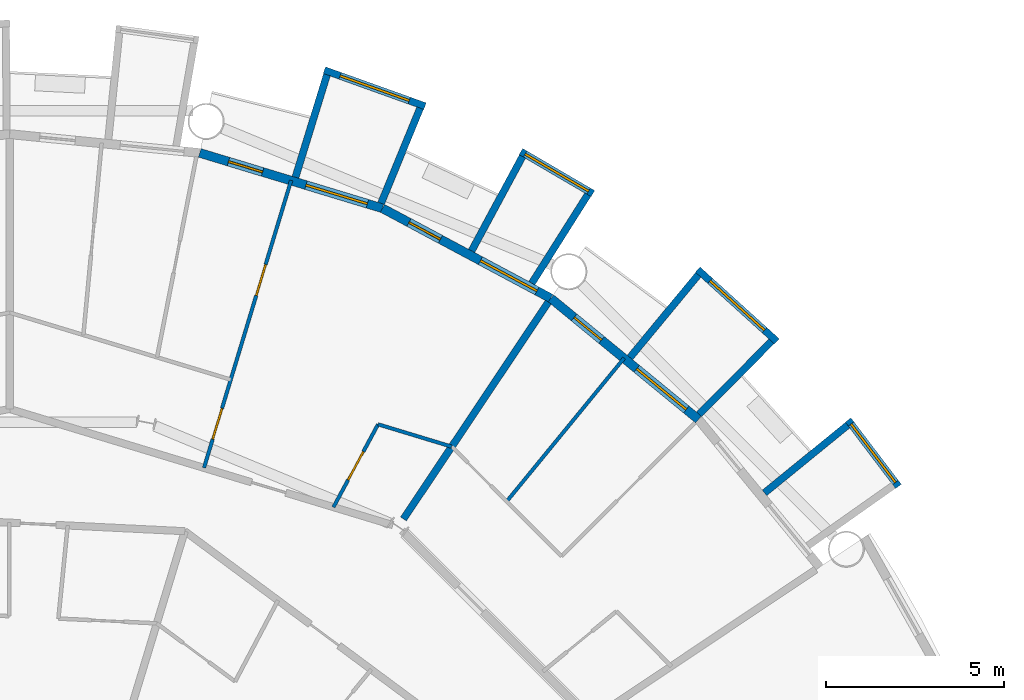
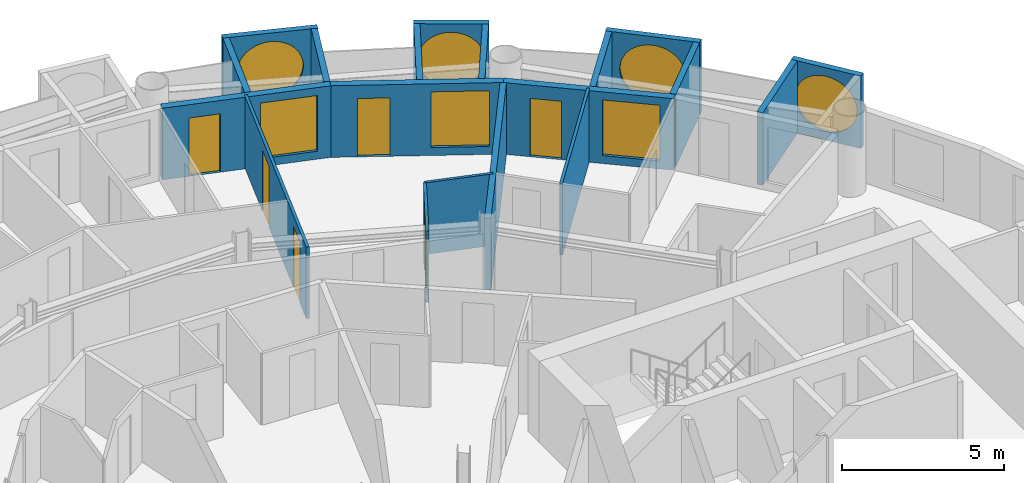
# One storey, part 22 of 26: 19 walls, 7 windows, 6 doors, 13 openings.
"""IFC4 building model written with IfcOpenShell, lengths in metres."""

from ifc_helpers import new_model, si_unit, direction, frame, frame_2d, origin, place, context, subcontext, project, spatial, rectangle, circle, extrude, material, layer, layer_set, type_object, element, fill, save


model = new_model("IFC4")

# Units and contexts
model_context = context("Model", 3, precision=1e-05, world=origin(), true_north=direction((0.0, 1.0)))
body_context = subcontext(model_context, "Body", "Model", "MODEL_VIEW")
ifc_project = project(units=[si_unit("LENGTHUNIT", "METRE"), si_unit("AREAUNIT", "SQUARE_METRE"), si_unit("VOLUMEUNIT", "CUBIC_METRE"), si_unit("PLANEANGLEUNIT", "RADIAN"), si_unit("MASSUNIT", "GRAM", prefix="KILO")], contexts=[model_context])

# Site, building, storey
site_placement = place(None, origin())
site = spatial("IfcSite", under=ifc_project, at=site_placement, CompositionType="ELEMENT")
building_placement = place(site_placement, origin())
building = spatial("IfcBuilding", under=site, at=building_placement, Name="Maasbend Ring Residences", CompositionType="ELEMENT")
storey_placement = place(building_placement, frame((0.0, 0.0, 91.050048828125)))
storey = spatial("IfcBuildingStorey", under=building, at=storey_placement, Name="L26", CompositionType="ELEMENT", Elevation=91.050048828125)

# Wall, opening, window
ifc_material_1 = material(Name="Pale anodised aluminium panel", Category="aluminium")
ifc_layer_1 = layer(ifc_material_1, 0.199951171875)
ifc_layer_set_1 = layer_set([ifc_layer_1], Name="EW-BOX")
wall_type_1 = type_object("IfcWallType", Name="EW-BOX", PredefinedType="SOLIDWALL", material=ifc_layer_set_1)
wall_1_placement = place(storey_placement, frame((24.908935546875, 17.427001953125, -0.030029296875), z_axis=(0.0, 0.0, 1.0), x_axis=(-0.60418752353, 0.796842165306, 0.0)))
wall_1 = element("IfcWall", 1, at=wall_1_placement, inside=storey, type_object=wall_type_1, Name="Box front N01", PredefinedType="SOLIDWALL", context=body_context, shape_type="SweptSolid", body=[
    extrude(rectangle(XDim=2.3369140625, YDim=0.199951171875, at=frame_2d((1.16845703125, 0.0))), origin(), (0.0, 0.0, 1.0), 2.72998046875),
])
opening_1_placement = place(wall_1_placement, frame((0.128173828125, 0.0, 0.330078125)))
opening_1 = element("IfcOpeningElement", 2, at=opening_1_placement, cuts=wall_1, Name="Opening W-RD", PredefinedType="OPENING", context=body_context, shape_type="SweptSolid", body=[
    extrude(circle(Radius=1.0400390625, at=frame_2d((1.0400390625, 1.0400390625))), frame((0.0, 0.10986328125, 0.0), z_axis=(0.0, -1.0, 0.0), x_axis=(1.0, 0.0, 0.0)), (0.0, 0.0, 1.0), 0.219970703125),
])
ifc_material_2 = material(Name="Aluminium and clear glass", Category="aluminium")
window_type_1 = type_object("IfcWindowType", Name="W-RD", PartitioningType="SINGLE_PANEL", PredefinedType="WINDOW", material=ifc_material_2)
window_1_placement = place(opening_1_placement, origin())
window_1 = element("IfcWindow", 3, at=window_1_placement, inside=storey, type_object=window_type_1, Name="Round window N01", OverallHeight=2.080078125, OverallWidth=2.080078125, PartitioningType="SINGLE_PANEL", PredefinedType="WINDOW", context=body_context, shape_type="SweptSolid", body=[
    extrude(circle(Radius=1.0400390625, at=frame_2d((1.0400390625, 1.0400390625))), frame((0.0, 0.030029296875, 0.0), z_axis=(0.0, -1.0, 0.0), x_axis=(1.0, 0.0, 0.0)), (0.0, 0.0, 1.0), 0.06005859375),
])
fill(opening_1, window_1)

# Wall
wall_2_placement = place(storey_placement, frame((21.155029296875, 17.24609375, -0.030029296875), z_axis=(0.0, 0.0, 1.0), x_axis=(0.775179004516, 0.631741648902, 0.0)))
element("IfcWall", 4, at=wall_2_placement, inside=storey, type_object=wall_type_1, Name="Box side wall N01 right", PredefinedType="SOLIDWALL", context=body_context, shape_type="SweptSolid", body=[
    extrude(rectangle(XDim=3.005859375, YDim=0.199951171875, at=frame_2d((1.5029296875, 0.0))), origin(), (0.0, 0.0, 1.0), 2.72998046875),
])

# Wall, opening, window
wall_3_placement = place(storey_placement, frame((21.5, 21.492919921875, -0.030029296875), z_axis=(0.0, 0.0, 1.0), x_axis=(-0.740998365753, 0.671506829416, 0.0)))
wall_3 = element("IfcWall", 5, at=wall_3_placement, inside=storey, type_object=wall_type_1, Name="Box front N03", PredefinedType="SOLIDWALL", context=body_context, shape_type="SweptSolid", body=[
    extrude(rectangle(XDim=2.9931640625, YDim=0.199951171875, at=frame_2d((1.49658203125, 0.0))), origin(), (0.0, 0.0, 1.0), 2.72998046875),
])
opening_2_placement = place(wall_3_placement, frame((0.45654296875, 0.0, 0.330078125)))
opening_2 = element("IfcOpeningElement", 6, at=opening_2_placement, cuts=wall_3, Name="Opening W-RD", PredefinedType="OPENING", context=body_context, shape_type="SweptSolid", body=[
    extrude(circle(Radius=1.0400390625, at=frame_2d((1.0400390625, 1.0400390625))), frame((0.0, 0.10986328125, 0.0), z_axis=(0.0, -1.0, 0.0), x_axis=(1.0, 0.0, 0.0)), (0.0, 0.0, 1.0), 0.219970703125),
])
window_2_placement = place(opening_2_placement, origin())
window_2 = element("IfcWindow", 7, at=window_2_placement, inside=storey, type_object=window_type_1, Name="Round window N03", OverallHeight=2.080078125, OverallWidth=2.080078125, PartitioningType="SINGLE_PANEL", PredefinedType="WINDOW", context=body_context, shape_type="SweptSolid", body=[
    extrude(circle(Radius=1.0400390625, at=frame_2d((1.0400390625, 1.0400390625))), frame((0.0, 0.030029296875, 0.0), z_axis=(0.0, -1.0, 0.0), x_axis=(1.0, 0.0, 0.0)), (0.0, 0.0, 1.0), 0.06005859375),
])
fill(opening_2, window_2)

# Walls
wall_4_placement = place(storey_placement, frame((19.322998046875, 19.449951171875, -0.030029296875), z_axis=(0.0, 0.0, 1.0), x_axis=(0.704476739375, 0.709727076896, 0.0)))
element("IfcWall", 8, at=wall_4_placement, inside=storey, type_object=wall_type_1, Name="Box side wall N03 left", PredefinedType="SOLIDWALL", context=body_context, shape_type="SweptSolid", body=[
    extrude(rectangle(XDim=2.883056640625, YDim=0.199951171875, at=frame_2d((1.44140625, 0.0))), origin(), (0.0, 0.0, 1.0), 2.72998046875),
])
wall_5_placement = place(storey_placement, frame((17.384033203125, 21.041015625, -0.030029296875), z_axis=(0.0, 0.0, 1.0), x_axis=(0.63709551667, 0.770784861449, 0.0)))
element("IfcWall", 9, at=wall_5_placement, inside=storey, type_object=wall_type_1, Name="Box side wall N03 right", PredefinedType="SOLIDWALL", context=body_context, shape_type="SweptSolid", body=[
    extrude(rectangle(XDim=3.005859375, YDim=0.199951171875, at=frame_2d((1.5029296875, 0.0))), origin(), (0.0, 0.0, 1.0), 2.72998046875),
])

# Wall, opening, window
wall_6_placement = place(storey_placement, frame((16.343994140625, 25.633056640625, -0.030029296875), z_axis=(0.0, 0.0, 1.0), x_axis=(-0.863346521872, 0.504611517081, 0.0)))
wall_6 = element("IfcWall", 10, at=wall_6_placement, inside=storey, type_object=wall_type_1, Name="Box front N05", PredefinedType="SOLIDWALL", context=body_context, shape_type="SweptSolid", body=[
    extrude(rectangle(XDim=2.33642578125, YDim=0.199951171875, at=frame_2d((1.168212890625, 0.0))), origin(), (0.0, 0.0, 1.0), 2.72998046875),
])
opening_3_placement = place(wall_6_placement, frame((0.128173828125, 0.0, 0.330078125)))
opening_3 = element("IfcOpeningElement", 11, at=opening_3_placement, cuts=wall_6, Name="Opening W-RD", PredefinedType="OPENING", context=body_context, shape_type="SweptSolid", body=[
    extrude(circle(Radius=1.0400390625, at=frame_2d((1.0400390625, 1.0400390625))), frame((0.0, 0.10986328125, 0.0), z_axis=(0.0, -1.0, 0.0), x_axis=(1.0, 0.0, 0.0)), (0.0, 0.0, 1.0), 0.219970703125),
])
window_3_placement = place(opening_3_placement, origin())
window_3 = element("IfcWindow", 12, at=window_3_placement, inside=storey, type_object=window_type_1, Name="Round window N05", OverallHeight=2.080078125, OverallWidth=2.080078125, PartitioningType="SINGLE_PANEL", PredefinedType="WINDOW", context=body_context, shape_type="SweptSolid", body=[
    extrude(circle(Radius=1.0400390625, at=frame_2d((1.0400390625, 1.0400390625))), frame((0.0, 0.030029296875, 0.0), z_axis=(0.0, -1.0, 0.0), x_axis=(1.0, 0.0, 0.0)), (0.0, 0.0, 1.0), 0.06005859375),
])
fill(opening_3, window_3)

# Walls
wall_7_placement = place(storey_placement, frame((14.635009765625, 23.1259765625, -0.030029296875), z_axis=(0.0, 0.0, 1.0), x_axis=(0.534437802731, 0.845207805816, 0.0)))
element("IfcWall", 13, at=wall_7_placement, inside=storey, type_object=wall_type_1, Name="Box side wall N05 left", PredefinedType="SOLIDWALL", context=body_context, shape_type="SweptSolid", body=[
    extrude(rectangle(XDim=2.931884765625, YDim=0.199951171875, at=frame_2d((1.4658203125, 0.0))), origin(), (0.0, 0.0, 1.0), 2.72998046875),
])
wall_8_placement = place(storey_placement, frame((12.945068359375, 24.029052734375, -0.030029296875), z_axis=(0.0, 0.0, 1.0), x_axis=(0.474424310775, 0.88029629861, 0.0)))
element("IfcWall", 14, at=wall_8_placement, inside=storey, type_object=wall_type_1, Name="Box side wall N05 right", PredefinedType="SOLIDWALL", context=body_context, shape_type="SweptSolid", body=[
    extrude(rectangle(XDim=3.005859375, YDim=0.199951171875, at=frame_2d((1.5029296875, 0.0))), origin(), (0.0, 0.0, 1.0), 2.72998046875),
])

# Wall, opening, window
wall_9_placement = place(storey_placement, frame((11.637939453125, 28.083984375, -0.030029296875), z_axis=(0.0, 0.0, 1.0), x_axis=(-0.941461077774, 0.337121697664, 0.0)))
wall_9 = element("IfcWall", 15, at=wall_9_placement, inside=storey, type_object=wall_type_1, Name="Box front N07", PredefinedType="SOLIDWALL", context=body_context, shape_type="SweptSolid", body=[
    extrude(rectangle(XDim=2.9931640625, YDim=0.199951171875, at=frame_2d((1.49658203125, 0.0))), origin(), (0.0, 0.0, 1.0), 2.72998046875),
])
opening_4_placement = place(wall_9_placement, frame((0.45654296875, 0.0, 0.330078125)))
opening_4 = element("IfcOpeningElement", 16, at=opening_4_placement, cuts=wall_9, Name="Opening W-RD", PredefinedType="OPENING", context=body_context, shape_type="SweptSolid", body=[
    extrude(circle(Radius=1.0400390625, at=frame_2d((1.0400390625, 1.0400390625))), frame((0.0, 0.10986328125, 0.0), z_axis=(0.0, -1.0, 0.0), x_axis=(1.0, 0.0, 0.0)), (0.0, 0.0, 1.0), 0.219970703125),
])
window_4_placement = place(opening_4_placement, origin())
window_4 = element("IfcWindow", 17, at=window_4_placement, inside=storey, type_object=window_type_1, Name="Round window N07", OverallHeight=2.080078125, OverallWidth=2.080078125, PartitioningType="SINGLE_PANEL", PredefinedType="WINDOW", context=body_context, shape_type="SweptSolid", body=[
    extrude(circle(Radius=1.0400390625, at=frame_2d((1.0400390625, 1.0400390625))), frame((0.0, 0.030029296875, 0.0), z_axis=(0.0, -1.0, 0.0), x_axis=(1.0, 0.0, 0.0)), (0.0, 0.0, 1.0), 0.06005859375),
])
fill(opening_4, window_4)

# Walls
wall_10_placement = place(storey_placement, frame((10.408935546875, 25.364013671875, -0.030029296875), z_axis=(0.0, 0.0, 1.0), x_axis=(0.379509886562, 0.925187681501, 0.0)))
element("IfcWall", 18, at=wall_10_placement, inside=storey, type_object=wall_type_1, Name="Box side wall N07 left", PredefinedType="SOLIDWALL", context=body_context, shape_type="SweptSolid", body=[
    extrude(rectangle(XDim=2.882568359375, YDim=0.199951171875, at=frame_2d((1.44140625, 0.0))), origin(), (0.0, 0.0, 1.0), 2.72998046875),
])
wall_11_placement = place(storey_placement, frame((8.009033203125, 26.092041015625, -0.030029296875), z_axis=(0.0, 0.0, 1.0), x_axis=(0.293406695073, 0.955987715029, 0.0)))
element("IfcWall", 19, at=wall_11_placement, inside=storey, type_object=wall_type_1, Name="Box side wall N07 right", PredefinedType="SOLIDWALL", context=body_context, shape_type="SweptSolid", body=[
    extrude(rectangle(XDim=3.00634765625, YDim=0.199951171875, at=frame_2d((1.503173828125, 0.0))), origin(), (0.0, 0.0, 1.0), 2.72998046875),
])

# Wall, openings, door, window
ifc_material_3 = material(Name="Aluminium clad insulated panel", Category="aluminium")
ifc_layer_2 = layer(ifc_material_3, 0.25)
ifc_layer_set_2 = layer_set([ifc_layer_2], Name="EW-GL")
wall_type_2 = type_object("IfcWallType", Name="EW-GL", PredefinedType="SOLIDWALL", material=ifc_layer_set_2)
wall_12_placement = place(storey_placement, frame((19.303955078125, 19.303955078125, 0.0), z_axis=(0.0, 0.0, 1.0), x_axis=(-0.773019449054, 0.634382322723, 0.0)))
wall_12 = element("IfcWall", 20, at=wall_12_placement, inside=storey, type_object=wall_type_2, Name="External wall N02", PredefinedType="SOLIDWALL", context=body_context, shape_type="SweptSolid", body=[
    extrude(rectangle(XDim=5.351806640625, YDim=0.25, at=frame_2d((2.67578125, 0.0))), origin(), (0.0, 0.0, 1.0), 2.699951171875),
])
opening_5_placement = place(wall_12_placement, frame((0.441162109375, 0.0, 0.300048828125)))
opening_5 = element("IfcOpeningElement", 21, at=opening_5_placement, cuts=wall_12, Name="Opening W-BX", PredefinedType="OPENING", context=body_context, shape_type="SweptSolid", body=[
    extrude(rectangle(XDim=1.800048828125, YDim=2.10009765625, at=frame_2d((0.89990234375, 1.050048828125))), frame((0.0, 0.135009765625, 0.0), z_axis=(0.0, -1.0, 0.0), x_axis=(1.0, 0.0, 0.0)), (0.0, 0.0, 1.0), 0.27001953125),
])
opening_6_placement = place(wall_12_placement, frame((3.510498046875, 0.0, 0.0)))
opening_6 = element("IfcOpeningElement", 22, at=opening_6_placement, cuts=wall_12, Name="Opening D-LG", PredefinedType="OPENING", context=body_context, shape_type="SweptSolid", body=[
    extrude(rectangle(XDim=1.0, YDim=2.199951171875, at=frame_2d((0.5, 1.10009765625))), frame((0.0, 0.135009765625, 0.0), z_axis=(0.0, -1.0, 0.0), x_axis=(1.0, 0.0, 0.0)), (0.0, 0.0, 1.0), 0.27001953125),
])
ifc_material_4 = material(Name="Aluminium and clear glass", Category="aluminium")
door_type_1 = type_object("IfcDoorType", Name="D-LG", OperationType="SINGLE_SWING_LEFT", PredefinedType="DOOR", material=ifc_material_4)
door_1_placement = place(opening_6_placement, origin())
door_1 = element("IfcDoor", 23, at=door_1_placement, inside=storey, type_object=door_type_1, Name="Loggia door N04", OperationType="SINGLE_SWING_LEFT", OverallHeight=2.199951171875, OverallWidth=1.0, PredefinedType="DOOR", context=body_context, shape_type="SweptSolid", body=[
    extrude(rectangle(XDim=1.0, YDim=2.199951171875, at=frame_2d((0.5, 1.10009765625))), frame((0.0, 0.02490234375, 0.0), z_axis=(0.0, -1.0, 0.0), x_axis=(1.0, 0.0, 0.0)), (0.0, 0.0, 1.0), 0.050048828125),
])
fill(opening_6, door_1)
ifc_material_5 = material(Name="Aluminium and clear glass", Category="aluminium")
window_type_2 = type_object("IfcWindowType", Name="W-BX", PartitioningType="DOUBLE_PANEL_VERTICAL", PredefinedType="WINDOW", material=ifc_material_5)
window_5_placement = place(opening_5_placement, origin())
window_5 = element("IfcWindow", 24, at=window_5_placement, inside=storey, type_object=window_type_2, Name="Window N03 room to box", OverallHeight=2.10009765625, OverallWidth=1.800048828125, PartitioningType="SINGLE_PANEL", PredefinedType="WINDOW", context=body_context, shape_type="SweptSolid", body=[
    extrude(rectangle(XDim=1.800048828125, YDim=2.10009765625, at=frame_2d((0.89990234375, 1.050048828125))), frame((0.0, 0.030029296875, 0.0), z_axis=(0.0, -1.0, 0.0), x_axis=(1.0, 0.0, 0.0)), (0.0, 0.0, 1.0), 0.06005859375),
])
fill(opening_5, window_5)

wall_13_placement = place(storey_placement, frame((15.1669921875, 22.698974609375, 0.0), z_axis=(0.0, 0.0, 1.0), x_axis=(-0.881915646801, 0.471407246368, 0.0)))
wall_13 = element("IfcWall", 25, at=wall_13_placement, inside=storey, type_object=wall_type_2, Name="External wall N03", PredefinedType="SOLIDWALL", context=body_context, shape_type="SweptSolid", body=[
    extrude(rectangle(XDim=5.35205078125, YDim=0.25, at=frame_2d((2.676025390625, 0.0))), origin(), (0.0, 0.0, 1.0), 2.699951171875),
])
opening_7_placement = place(wall_13_placement, frame((0.441162109375, 0.0, 0.300048828125)))
opening_7 = element("IfcOpeningElement", 26, at=opening_7_placement, cuts=wall_13, Name="Opening W-BX", PredefinedType="OPENING", context=body_context, shape_type="SweptSolid", body=[
    extrude(rectangle(XDim=1.800048828125, YDim=2.10009765625, at=frame_2d((0.89990234375, 1.050048828125))), frame((0.0, 0.135009765625, 0.0), z_axis=(0.0, -1.0, 0.0), x_axis=(1.0, 0.0, 0.0)), (0.0, 0.0, 1.0), 0.27001953125),
])
opening_8_placement = place(wall_13_placement, frame((3.510498046875, 0.0, 0.0)))
opening_8 = element("IfcOpeningElement", 27, at=opening_8_placement, cuts=wall_13, Name="Opening D-LG", PredefinedType="OPENING", context=body_context, shape_type="SweptSolid", body=[
    extrude(rectangle(XDim=1.0, YDim=2.199951171875, at=frame_2d((0.5, 1.10009765625))), frame((0.0, 0.135009765625, 0.0), z_axis=(0.0, -1.0, 0.0), x_axis=(1.0, 0.0, 0.0)), (0.0, 0.0, 1.0), 0.27001953125),
])
door_2_placement = place(opening_8_placement, origin())
door_2 = element("IfcDoor", 28, at=door_2_placement, inside=storey, type_object=door_type_1, Name="Loggia door N06", OperationType="SINGLE_SWING_LEFT", OverallHeight=2.199951171875, OverallWidth=1.0, PredefinedType="DOOR", context=body_context, shape_type="SweptSolid", body=[
    extrude(rectangle(XDim=1.0, YDim=2.199951171875, at=frame_2d((0.5, 1.10009765625))), frame((0.0, 0.02490234375, 0.0), z_axis=(0.0, -1.0, 0.0), x_axis=(1.0, 0.0, 0.0)), (0.0, 0.0, 1.0), 0.050048828125),
])
fill(opening_8, door_2)
window_6_placement = place(opening_7_placement, origin())
window_6 = element("IfcWindow", 29, at=window_6_placement, inside=storey, type_object=window_type_2, Name="Window N05 room to box", OverallHeight=2.10009765625, OverallWidth=1.800048828125, PartitioningType="SINGLE_PANEL", PredefinedType="WINDOW", context=body_context, shape_type="SweptSolid", body=[
    extrude(rectangle(XDim=1.800048828125, YDim=2.10009765625, at=frame_2d((0.89990234375, 1.050048828125))), frame((0.0, 0.030029296875, 0.0), z_axis=(0.0, -1.0, 0.0), x_axis=(1.0, 0.0, 0.0)), (0.0, 0.0, 1.0), 0.06005859375),
])
fill(opening_7, window_6)

wall_14_placement = place(storey_placement, frame((10.447021484375, 25.221923828125, 0.0), z_axis=(0.0, 0.0, 1.0), x_axis=(-0.956965678721, 0.290201119486, 0.0)))
wall_14 = element("IfcWall", 30, at=wall_14_placement, inside=storey, type_object=wall_type_2, Name="External wall N04", PredefinedType="SOLIDWALL", context=body_context, shape_type="SweptSolid", body=[
    extrude(rectangle(XDim=5.351318359375, YDim=0.25, at=frame_2d((2.67578125, 0.0))), origin(), (0.0, 0.0, 1.0), 2.699951171875),
])
opening_9_placement = place(wall_14_placement, frame((0.441162109375, 0.0, 0.300048828125)))
opening_9 = element("IfcOpeningElement", 31, at=opening_9_placement, cuts=wall_14, Name="Opening W-BX", PredefinedType="OPENING", context=body_context, shape_type="SweptSolid", body=[
    extrude(rectangle(XDim=1.800048828125, YDim=2.10009765625, at=frame_2d((0.89990234375, 1.050048828125))), frame((0.0, 0.135009765625, 0.0), z_axis=(0.0, -1.0, 0.0), x_axis=(1.0, 0.0, 0.0)), (0.0, 0.0, 1.0), 0.27001953125),
])
opening_10_placement = place(wall_14_placement, frame((3.510498046875, 0.0, 0.0)))
opening_10 = element("IfcOpeningElement", 32, at=opening_10_placement, cuts=wall_14, Name="Opening D-LG", PredefinedType="OPENING", context=body_context, shape_type="SweptSolid", body=[
    extrude(rectangle(XDim=1.0, YDim=2.199951171875, at=frame_2d((0.5, 1.10009765625))), frame((0.0, 0.135009765625, 0.0), z_axis=(0.0, -1.0, 0.0), x_axis=(1.0, 0.0, 0.0)), (0.0, 0.0, 1.0), 0.27001953125),
])
door_3_placement = place(opening_10_placement, origin())
door_3 = element("IfcDoor", 33, at=door_3_placement, inside=storey, type_object=door_type_1, Name="Loggia door N08", OperationType="SINGLE_SWING_LEFT", OverallHeight=2.199951171875, OverallWidth=1.0, PredefinedType="DOOR", context=body_context, shape_type="SweptSolid", body=[
    extrude(rectangle(XDim=1.0, YDim=2.199951171875, at=frame_2d((0.5, 1.10009765625))), frame((0.0, 0.02490234375, 0.0), z_axis=(0.0, -1.0, 0.0), x_axis=(1.0, 0.0, 0.0)), (0.0, 0.0, 1.0), 0.050048828125),
])
fill(opening_10, door_3)
window_7_placement = place(opening_9_placement, origin())
window_7 = element("IfcWindow", 34, at=window_7_placement, inside=storey, type_object=window_type_2, Name="Window N07 room to box", OverallHeight=2.10009765625, OverallWidth=1.800048828125, PartitioningType="SINGLE_PANEL", PredefinedType="WINDOW", context=body_context, shape_type="SweptSolid", body=[
    extrude(rectangle(XDim=1.800048828125, YDim=2.10009765625, at=frame_2d((0.89990234375, 1.050048828125))), frame((0.0, 0.030029296875, 0.0), z_axis=(0.0, -1.0, 0.0), x_axis=(1.0, 0.0, 0.0)), (0.0, 0.0, 1.0), 0.06005859375),
])
fill(opening_9, window_7)

# Wall, openings, doors
ifc_material_6 = material(Name="Gypsum board on steel studs", Category="steel")
ifc_layer_3 = layer(ifc_material_6, 0.10009765625)
ifc_layer_set_3 = layer_set([ifc_layer_3], Name="PARTITION 100 GYPSUM")
wall_type_3 = type_object("IfcWallType", Name="PARTITION 100 GYPSUM", PredefinedType="PARTITIONING", material=ifc_layer_set_3)
wall_15_placement = place(storey_placement, frame((5.445068359375, 17.947998046875, 0.0), z_axis=(0.0, 0.0, 1.0), x_axis=(0.290158700753, 0.956978541231, 0.0)))
wall_15 = element("IfcWall", 35, at=wall_15_placement, inside=storey, type_object=wall_type_3, Name="U-L26-w070", PredefinedType="PARTITIONING", context=body_context, shape_type="SweptSolid", body=[
    extrude(rectangle(XDim=8.419189453125, YDim=0.10009765625, at=frame_2d((4.20947265625, 0.0))), origin(), (0.0, 0.0, 1.0), 2.699951171875),
])
opening_11_placement = place(wall_15_placement, frame((0.842041015625, 0.0, 0.0)))
opening_11 = element("IfcOpeningElement", 36, at=opening_11_placement, cuts=wall_15, Name="Opening D-2607", PredefinedType="OPENING", context=body_context, shape_type="SweptSolid", body=[
    extrude(rectangle(XDim=0.89990234375, YDim=2.300048828125, at=frame_2d((0.449951171875, 1.14990234375))), frame((0.0, 0.06005859375, 0.0), z_axis=(0.0, -1.0, 0.0), x_axis=(1.0, 0.0, 0.0)), (0.0, 0.0, 1.0), 0.1201171875),
])
opening_12_placement = place(wall_15_placement, frame((5.052001953125, 0.0, 0.0)))
opening_12 = element("IfcOpeningElement", 37, at=opening_12_placement, cuts=wall_15, Name="Opening D-2608", PredefinedType="OPENING", context=body_context, shape_type="SweptSolid", body=[
    extrude(rectangle(XDim=0.89990234375, YDim=2.300048828125, at=frame_2d((0.449951171875, 1.14990234375))), frame((0.0, 0.06005859375, 0.0), z_axis=(0.0, -1.0, 0.0), x_axis=(1.0, 0.0, 0.0)), (0.0, 0.0, 1.0), 0.1201171875),
])
ifc_material_7 = material(Name="Timber, painted", Category="wood")
door_type_2 = type_object("IfcDoorType", Name="INTERNAL DOOR 900 X 2300", OperationType="NOTDEFINED", PredefinedType="DOOR", material=ifc_material_7)
door_4_placement = place(opening_11_placement, origin())
door_4 = element("IfcDoor", 38, at=door_4_placement, inside=storey, type_object=door_type_2, Name="D-2607", OperationType="SINGLE_SWING_LEFT", OverallHeight=2.300048828125, OverallWidth=0.89990234375, PredefinedType="DOOR", context=body_context, shape_type="SweptSolid", body=[
    extrude(rectangle(XDim=0.89990234375, YDim=2.300048828125, at=frame_2d((0.449951171875, 1.14990234375))), frame((0.0, 0.02490234375, 0.0), z_axis=(0.0, -1.0, 0.0), x_axis=(1.0, 0.0, 0.0)), (0.0, 0.0, 1.0), 0.050048828125),
])
fill(opening_11, door_4)
door_5_placement = place(opening_12_placement, origin())
door_5 = element("IfcDoor", 39, at=door_5_placement, inside=storey, type_object=door_type_2, Name="D-2608", OperationType="SINGLE_SWING_RIGHT", OverallHeight=2.300048828125, OverallWidth=0.89990234375, PredefinedType="DOOR", context=body_context, shape_type="SweptSolid", body=[
    extrude(rectangle(XDim=0.89990234375, YDim=2.300048828125, at=frame_2d((0.449951171875, 1.14990234375))), frame((0.0, 0.02490234375, 0.0), z_axis=(0.0, -1.0, 0.0), x_axis=(1.0, 0.0, 0.0)), (0.0, 0.0, 1.0), 0.050048828125),
])
fill(opening_12, door_5)

# Wall, opening, door
wall_16_placement = place(storey_placement, frame((9.073974609375, 16.846923828125, 0.0), z_axis=(0.0, 0.0, 1.0), x_axis=(0.474160570331, 0.880438387136, 0.0)))
wall_16 = element("IfcWall", 40, at=wall_16_placement, inside=storey, type_object=wall_type_3, Name="U-L26-w074", PredefinedType="PARTITIONING", context=body_context, shape_type="SweptSolid", body=[
    extrude(rectangle(XDim=2.63623046875, YDim=0.10009765625, at=frame_2d((1.318115234375, 0.0))), origin(), (0.0, 0.0, 1.0), 2.699951171875),
])
opening_13_placement = place(wall_16_placement, frame((0.867919921875, 0.0, 0.0)))
opening_13 = element("IfcOpeningElement", 41, at=opening_13_placement, cuts=wall_16, Name="Opening D-2606", PredefinedType="OPENING", context=body_context, shape_type="SweptSolid", body=[
    extrude(rectangle(XDim=0.89990234375, YDim=2.300048828125, at=frame_2d((0.449951171875, 1.14990234375))), frame((0.0, 0.06005859375, 0.0), z_axis=(0.0, -1.0, 0.0), x_axis=(1.0, 0.0, 0.0)), (0.0, 0.0, 1.0), 0.1201171875),
])
door_6_placement = place(opening_13_placement, origin())
door_6 = element("IfcDoor", 42, at=door_6_placement, inside=storey, type_object=door_type_2, Name="D-2606", OperationType="SINGLE_SWING_RIGHT", OverallHeight=2.300048828125, OverallWidth=0.89990234375, PredefinedType="DOOR", context=body_context, shape_type="SweptSolid", body=[
    extrude(rectangle(XDim=0.89990234375, YDim=2.300048828125, at=frame_2d((0.449951171875, 1.14990234375))), frame((0.0, 0.02490234375, 0.0), z_axis=(0.0, -1.0, 0.0), x_axis=(1.0, 0.0, 0.0)), (0.0, 0.0, 1.0), 0.050048828125),
])
fill(opening_13, door_6)

# Walls
wall_17_placement = place(storey_placement, frame((13.927001953125, 17.00390625, 0.0), z_axis=(0.0, 0.0, 1.0), x_axis=(0.633774976367, 0.773517471898, 0.0)))
element("IfcWall", 43, at=wall_17_placement, inside=storey, type_object=wall_type_3, Name="U-L26-w078", PredefinedType="PARTITIONING", context=body_context, shape_type="SweptSolid", body=[
    extrude(rectangle(XDim=5.19580078125, YDim=0.10009765625, at=frame_2d((2.597900390625, 0.0))), origin(), (0.0, 0.0, 1.0), 2.699951171875),
])
wall_18_placement = place(storey_placement, frame((10.323974609375, 19.16796875, 0.0), z_axis=(0.0, 0.0, 1.0), x_axis=(0.956993947591, -0.290107883852, 0.0)))
element("IfcWall", 44, at=wall_18_placement, inside=storey, type_object=wall_type_3, Name="U-L26-w105", PredefinedType="PARTITIONING", context=body_context, shape_type="SweptSolid", body=[
    extrude(rectangle(XDim=2.15771484375, YDim=0.10009765625, at=frame_2d((1.078857421875, 0.0))), origin(), (0.0, 0.0, 1.0), 2.699951171875),
])
ifc_material_8 = material(Name="Concrete C30/37", Category="concrete")
ifc_layer_4 = layer(ifc_material_8, 0.199951171875)
ifc_layer_set_4 = layer_set([ifc_layer_4], Name="Concrete C30/37")
wall_type_4 = type_object("IfcWallType", Name="PARTY WALL 200 CONCRETE", PredefinedType="PARTITIONING", material=ifc_layer_set_4)
wall_19_placement = place(storey_placement, frame((11.034912109375, 16.514892578125, 0.0), z_axis=(0.0, 0.0, 1.0), x_axis=(0.555516661303, 0.831505405283, 0.0)))
element("IfcWall", 45, at=wall_19_placement, inside=storey, type_object=wall_type_4, Name="U-L26-w076", PredefinedType="PARTITIONING", context=body_context, shape_type="SweptSolid", body=[
    extrude(rectangle(XDim=7.31201171875, YDim=0.199951171875, at=frame_2d((3.656005859375, 0.0))), origin(), (0.0, 0.0, 1.0), 2.699951171875),
])

save(model, "model.ifc")
